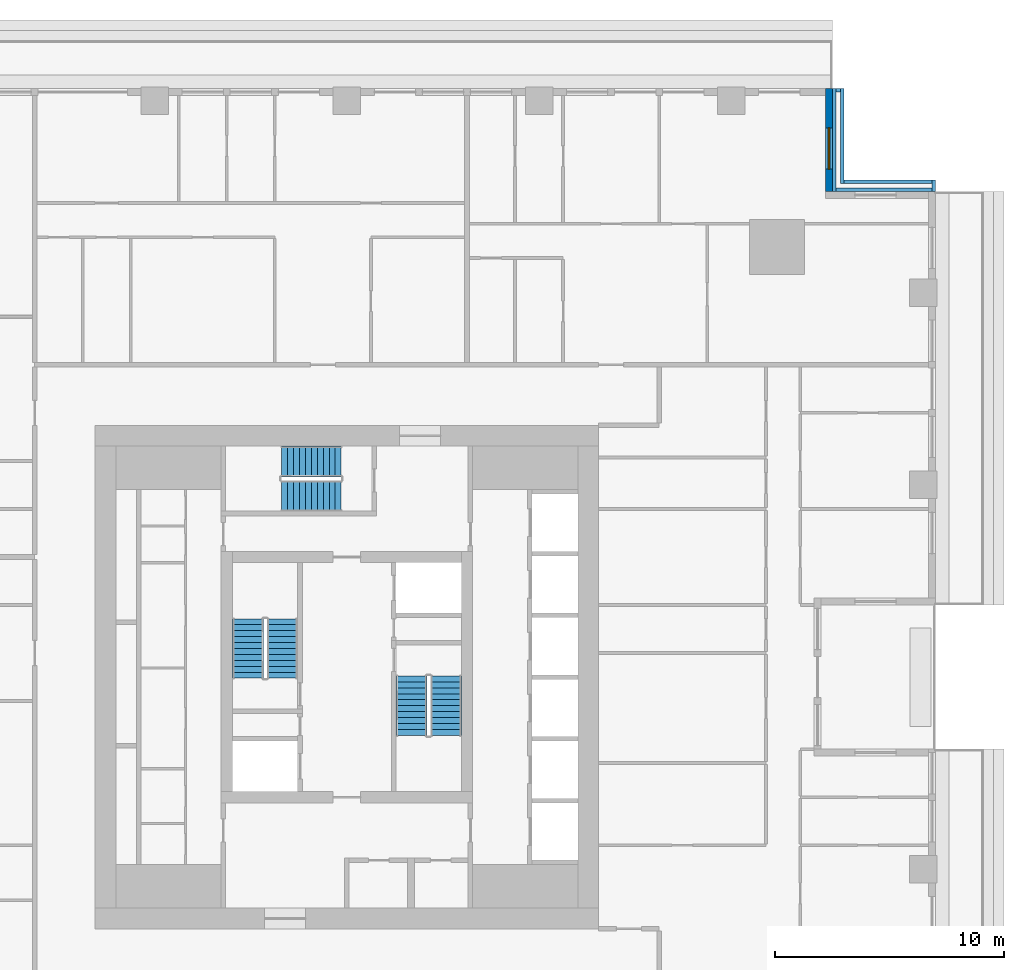
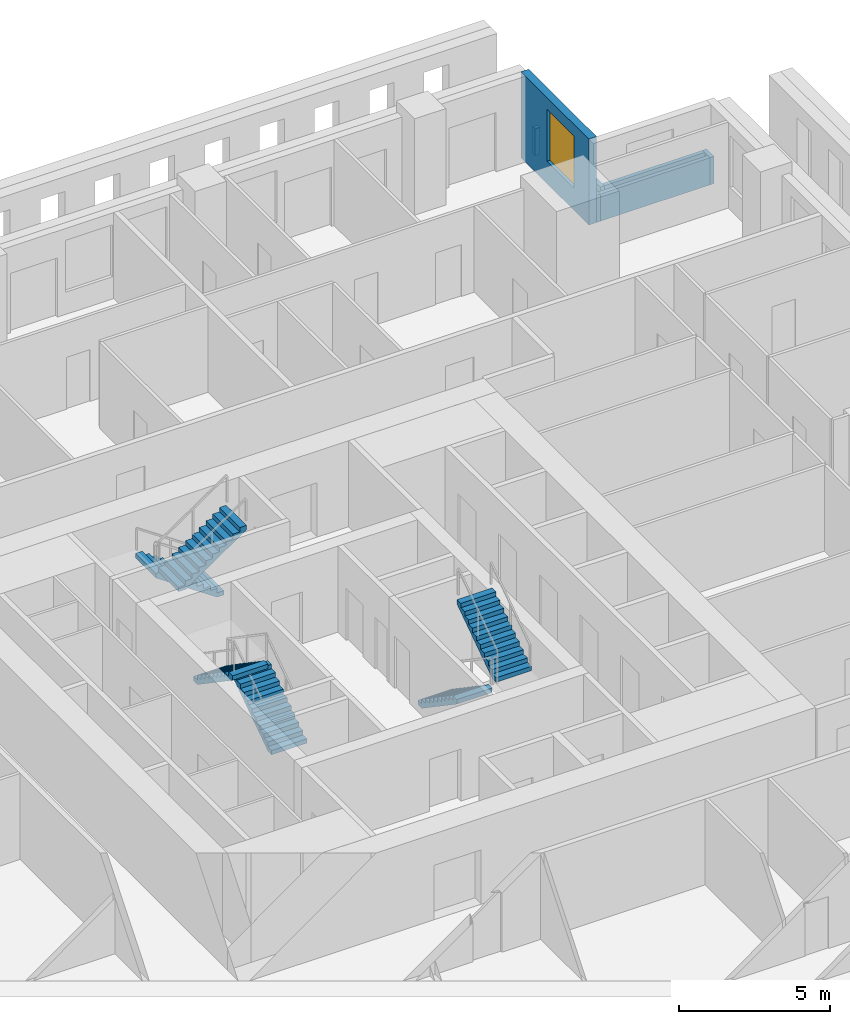
# One storey, part 11 of 17: 7 walls, 6 stair flights, 1 window, 1 opening, 3 elements without a shape of their own.
"""IFC4 building model written with IfcOpenShell, lengths in metres."""

from ifc_helpers import new_model, si_unit, direction, frame, frame_2d, origin, place, context, subcontext, project, spatial, polyline, rectangle, outline, extrude, material, layer, layer_set, type_object, element, fill, aggregate, save


model = new_model("IFC4")

# Units and contexts
model_context = context("Model", 3, precision=1e-05, world=origin(), true_north=direction((0.0, 1.0)))
body_context = subcontext(model_context, "Body", "Model", "MODEL_VIEW")
ifc_project = project(units=[si_unit("LENGTHUNIT", "METRE"), si_unit("AREAUNIT", "SQUARE_METRE"), si_unit("VOLUMEUNIT", "CUBIC_METRE"), si_unit("PLANEANGLEUNIT", "RADIAN"), si_unit("MASSUNIT", "GRAM", prefix="KILO")], contexts=[model_context])

# Site, building, storey
site_placement = place(None, origin())
site = spatial("IfcSite", under=ifc_project, at=site_placement, CompositionType="ELEMENT")
building_placement = place(site_placement, origin())
building = spatial("IfcBuilding", under=site, at=building_placement, Name="Khepri Terraces", CompositionType="ELEMENT")
storey_placement = place(building_placement, frame((0.0, 0.0, 188.39990234375)))
storey = spatial("IfcBuildingStorey", under=building, at=storey_placement, Name="L44", CompositionType="ELEMENT", Elevation=188.39990234375)

# Wall, opening, window
ifc_material_1 = material(Name="Precast concrete C50/60 warm stone", Category="masonry")
ifc_layer_1 = layer(ifc_material_1, 0.300048828125, Name="Precast concrete C50/60 warm stone", Category="masonry")
ifc_layer_set_1 = layer_set([ifc_layer_1], Name="Precast concrete C50/60 warm stone")
wall_type_1 = type_object("IfcWallType", Name="WL-EXT-PRECAST-300", PredefinedType="STANDARD", material=ifc_layer_set_1)
wall_1_placement = place(storey_placement, frame((21.070068359375, 21.219970703125, 0.0), z_axis=(0.0, 0.0, 1.0), x_axis=(0.0, 1.0, 0.0)))
wall_1 = element("IfcWall", 1, at=wall_1_placement, inside=storey, type_object=wall_type_1, Name="External wall L44 E", PredefinedType="STANDARD", context=body_context, shape_type="SweptSolid", body=[
    extrude(rectangle(XDim=4.5, YDim=0.300048828125, at=frame_2d((2.25, 0.0))), origin(), (0.0, 0.0, 1.0), 3.47998046875),
])
opening_placement = place(wall_1_placement, frame((0.97998046875, 0.0, 0.89990234375)))
opening = element("IfcOpeningElement", 2, at=opening_placement, cuts=wall_1, Name="Opening W1", PredefinedType="OPENING", context=body_context, shape_type="SweptSolid", body=[
    extrude(rectangle(XDim=1.800048828125, YDim=2.10009765625, at=frame_2d((0.89990234375, 1.050048828125))), frame((0.0, 0.16015625, 0.0), z_axis=(0.0, -1.0, 0.0), x_axis=(1.0, 0.0, 0.0)), (0.0, 0.0, 1.0), 0.320068359375),
])
ifc_material_2 = material(Name="Clear glass", Category="glass")
window_type = type_object("IfcWindowType", Name="WIN-RES-1800x2100", PartitioningType="SINGLE_PANEL", PredefinedType="WINDOW", material=ifc_material_2)
window_placement = place(opening_placement, origin())
window = element("IfcWindow", 3, at=window_placement, inside=storey, type_object=window_type, Name="Window L44 E", OverallHeight=2.10009765625, OverallWidth=1.800048828125, PartitioningType="SINGLE_PANEL", PredefinedType="WINDOW", context=body_context, shape_type="SweptSolid", body=[
    extrude(rectangle(XDim=1.800048828125, YDim=2.10009765625, at=frame_2d((0.89990234375, 1.050048828125))), frame((0.0, 0.030029296875, 0.0), z_axis=(0.0, -1.0, 0.0), x_axis=(1.0, 0.0, 0.0)), (0.0, 0.0, 1.0), 0.06005859375),
])
fill(opening, window)

# Walls
ifc_layer_2 = layer(ifc_material_1, 0.14990234375, Name="Precast concrete C50/60 warm stone", Category="masonry")
ifc_layer_set_2 = layer_set([ifc_layer_2], Name="Precast concrete C50/60 warm stone")
wall_type_2 = type_object("IfcWallType", Name="WL-PARAPET-150", PredefinedType="PARAPET", material=ifc_layer_set_2)
wall_2_placement = place(storey_placement, frame((21.294921875, 21.219970703125, 0.0), z_axis=(0.0, 0.0, 1.0), x_axis=(0.0, 1.0, 0.0)))
element("IfcWall", 4, at=wall_2_placement, inside=storey, type_object=wall_type_2, Name="Ledge parapet L44", PredefinedType="PARAPET", context=body_context, shape_type="SweptSolid", body=[
    extrude(rectangle(XDim=4.5, YDim=0.14990234375, at=frame_2d((2.25, 0.0))), origin(), (0.0, 0.0, 1.0), 1.10009765625),
])
wall_3_placement = place(storey_placement, frame((21.3701171875, 25.64501953125, 0.0), z_axis=(0.0, 0.0, 1.0), x_axis=(1.0, 0.0, 0.0)))
element("IfcWall", 5, at=wall_3_placement, inside=storey, type_object=wall_type_2, Name="Ledge parapet L44", PredefinedType="PARAPET", context=body_context, shape_type="SweptSolid", body=[
    extrude(rectangle(XDim=0.199951171875, YDim=0.14990234375, at=frame_2d((0.10009765625, 0.0))), origin(), (0.0, 0.0, 1.0), 1.10009765625),
])
wall_4_placement = place(storey_placement, frame((21.3701171875, 21.294921875, 0.0), z_axis=(0.0, 0.0, 1.0), x_axis=(1.0, 0.0, 0.0)))
element("IfcWall", 6, at=wall_4_placement, inside=storey, type_object=wall_type_2, Name="Ledge parapet L44", PredefinedType="PARAPET", context=body_context, shape_type="SweptSolid", body=[
    extrude(rectangle(XDim=4.199951171875, YDim=0.14990234375, at=frame_2d((2.10009765625, 0.0))), origin(), (0.0, 0.0, 1.0), 1.10009765625),
])
wall_5_placement = place(storey_placement, frame((21.64501953125, 21.570068359375, 0.0), z_axis=(0.0, 0.0, 1.0), x_axis=(0.0, 1.0, 0.0)))
element("IfcWall", 7, at=wall_5_placement, inside=storey, type_object=wall_type_2, Name="Ledge parapet L44", PredefinedType="PARAPET", context=body_context, shape_type="SweptSolid", body=[
    extrude(rectangle(XDim=4.14990234375, YDim=0.14990234375, at=frame_2d((2.074951171875, 0.0))), origin(), (0.0, 0.0, 1.0), 1.10009765625),
])
wall_6_placement = place(storey_placement, frame((21.719970703125, 21.64501953125, 0.0), z_axis=(0.0, 0.0, 1.0), x_axis=(1.0, 0.0, 0.0)))
element("IfcWall", 8, at=wall_6_placement, inside=storey, type_object=wall_type_2, Name="Ledge parapet L44", PredefinedType="PARAPET", context=body_context, shape_type="SweptSolid", body=[
    extrude(rectangle(XDim=3.85009765625, YDim=0.14990234375, at=frame_2d((1.925048828125, 0.0))), origin(), (0.0, 0.0, 1.0), 1.10009765625),
])
wall_7_placement = place(storey_placement, frame((25.64501953125, 21.219970703125, 0.0), z_axis=(0.0, 0.0, 1.0), x_axis=(0.0, 1.0, 0.0)))
element("IfcWall", 9, at=wall_7_placement, inside=storey, type_object=wall_type_2, Name="Ledge parapet L44", PredefinedType="PARAPET", context=body_context, shape_type="SweptSolid", body=[
    extrude(rectangle(XDim=0.5, YDim=0.14990234375, at=frame_2d((0.25, 0.0))), origin(), (0.0, 0.0, 1.0), 1.10009765625),
])

# Stair, stair flights
ifc_material_3 = material(Name="Concrete C40/50", Category="concrete")
stair_type = type_object("IfcStairType", Name="STAIR-RC-22R", PredefinedType="HALF_TURN_STAIR", material=ifc_material_3)
stair_1_placement = place(storey_placement, origin())
stair_1 = element("IfcStair", 10, at=stair_1_placement, inside=storey, type_object=stair_type, Name="L44 Exit Stair ST-1", PredefinedType="HALF_TURN_STAIR")
stair_flight_type = type_object("IfcStairFlightType", Name="SFL-RC-177.3", PredefinedType="STRAIGHT", material=ifc_material_3)
stair_flight_1_placement = place(storey_placement, frame((-2.824951171875, -0.050048828125, 0.0), z_axis=(0.0, 0.0, 1.0), x_axis=(0.0, 1.0, 0.0)))
stair_flight_1 = element("IfcStairFlight", 11, at=stair_flight_1_placement, type_object=stair_flight_type, Name="ST-1 flight 1", NumberOfRisers=11, NumberOfTreads=10, PredefinedType="STRAIGHT", RiserHeight=0.177272727, TreadLength=0.26, context=body_context, shape_type="SweptSolid", body=[
    extrude(outline(polyline([(0.0, 0.0), (0.0, 0.17724609375), (0.260009765625, 0.17724609375), (0.260009765625, 0.3544921875), (0.52001953125, 0.3544921875), (0.52001953125, 0.53173828125), (0.780029296875, 0.53173828125), (0.780029296875, 0.708984375), (1.0400390625, 0.708984375), (1.0400390625, 0.886474609375), (1.300048828125, 0.886474609375), (1.300048828125, 1.063720703125), (1.56005859375, 1.063720703125), (1.56005859375, 1.240966796875), (1.820068359375, 1.240966796875), (1.820068359375, 1.418212890625), (2.080078125, 1.418212890625), (2.080078125, 1.595458984375), (2.340087890625, 1.595458984375), (2.340087890625, 1.772705078125), (2.60009765625, 1.772705078125), (2.60009765625, 1.949951171875), (2.60009765625, 1.59130859375), (0.26611328125, 0.0), (0.0, 0.0)])), frame((0.0, 0.675048828125, 0.0), z_axis=(0.0, -1.0, 0.0), x_axis=(1.0, 0.0, 0.0)), (0.0, 0.0, 1.0), 1.35009765625),
])
stair_flight_2_placement = place(storey_placement, frame((-4.324951171875, 2.550048828125, 1.9501953125), z_axis=(0.0, 0.0, 1.0), x_axis=(0.0, -1.0, 0.0)))
stair_flight_2 = element("IfcStairFlight", 12, at=stair_flight_2_placement, type_object=stair_flight_type, Name="ST-1 flight 2", NumberOfRisers=11, NumberOfTreads=10, PredefinedType="STRAIGHT", RiserHeight=0.177272727, TreadLength=0.26, context=body_context, shape_type="SweptSolid", body=[
    extrude(outline(polyline([(0.0, 0.0), (0.0, 0.17724609375), (0.260009765625, 0.17724609375), (0.260009765625, 0.3544921875), (0.52001953125, 0.3544921875), (0.52001953125, 0.53173828125), (0.780029296875, 0.53173828125), (0.780029296875, 0.708984375), (1.0400390625, 0.708984375), (1.0400390625, 0.886474609375), (1.300048828125, 0.886474609375), (1.300048828125, 1.063720703125), (1.56005859375, 1.063720703125), (1.56005859375, 1.240966796875), (1.820068359375, 1.240966796875), (1.820068359375, 1.418212890625), (2.080078125, 1.418212890625), (2.080078125, 1.595458984375), (2.340087890625, 1.595458984375), (2.340087890625, 1.772705078125), (2.60009765625, 1.772705078125), (2.60009765625, 1.949951171875), (2.60009765625, 1.59130859375), (0.26611328125, 0.0), (0.0, 0.0)])), frame((0.0, 0.675048828125, 0.0), z_axis=(0.0, -1.0, 0.0), x_axis=(1.0, 0.0, 0.0)), (0.0, 0.0, 1.0), 1.35009765625),
])
aggregate(stair_1, [stair_flight_1, stair_flight_2])

stair_2_placement = place(storey_placement, origin())
stair_2 = element("IfcStair", 13, at=stair_2_placement, inside=storey, type_object=stair_type, Name="L44 Exit Stair ST-2", PredefinedType="HALF_TURN_STAIR")
stair_flight_3_placement = place(storey_placement, frame((2.824951171875, 0.050048828125, 0.0), z_axis=(0.0, 0.0, 1.0), x_axis=(0.0, -1.0, 0.0)))
stair_flight_3 = element("IfcStairFlight", 14, at=stair_flight_3_placement, type_object=stair_flight_type, Name="ST-2 flight 1", NumberOfRisers=11, NumberOfTreads=10, PredefinedType="STRAIGHT", RiserHeight=0.177272727, TreadLength=0.26, context=body_context, shape_type="SweptSolid", body=[
    extrude(outline(polyline([(0.0, 0.0), (0.0, 0.17724609375), (0.260009765625, 0.17724609375), (0.260009765625, 0.3544921875), (0.52001953125, 0.3544921875), (0.52001953125, 0.53173828125), (0.780029296875, 0.53173828125), (0.780029296875, 0.708984375), (1.0400390625, 0.708984375), (1.0400390625, 0.886474609375), (1.300048828125, 0.886474609375), (1.300048828125, 1.063720703125), (1.56005859375, 1.063720703125), (1.56005859375, 1.240966796875), (1.820068359375, 1.240966796875), (1.820068359375, 1.418212890625), (2.080078125, 1.418212890625), (2.080078125, 1.595458984375), (2.340087890625, 1.595458984375), (2.340087890625, 1.772705078125), (2.60009765625, 1.772705078125), (2.60009765625, 1.949951171875), (2.60009765625, 1.59130859375), (0.26611328125, 0.0), (0.0, 0.0)])), frame((0.0, 0.675048828125, 0.0), z_axis=(0.0, -1.0, 0.0), x_axis=(1.0, 0.0, 0.0)), (0.0, 0.0, 1.0), 1.35009765625),
])
stair_flight_4_placement = place(storey_placement, frame((4.324951171875, -2.550048828125, 1.9501953125), z_axis=(0.0, 0.0, 1.0), x_axis=(0.0, 1.0, 0.0)))
stair_flight_4 = element("IfcStairFlight", 15, at=stair_flight_4_placement, type_object=stair_flight_type, Name="ST-2 flight 2", NumberOfRisers=11, NumberOfTreads=10, PredefinedType="STRAIGHT", RiserHeight=0.177272727, TreadLength=0.26, context=body_context, shape_type="SweptSolid", body=[
    extrude(outline(polyline([(0.0, 0.0), (0.0, 0.17724609375), (0.260009765625, 0.17724609375), (0.260009765625, 0.3544921875), (0.52001953125, 0.3544921875), (0.52001953125, 0.53173828125), (0.780029296875, 0.53173828125), (0.780029296875, 0.708984375), (1.0400390625, 0.708984375), (1.0400390625, 0.886474609375), (1.300048828125, 0.886474609375), (1.300048828125, 1.063720703125), (1.56005859375, 1.063720703125), (1.56005859375, 1.240966796875), (1.820068359375, 1.240966796875), (1.820068359375, 1.418212890625), (2.080078125, 1.418212890625), (2.080078125, 1.595458984375), (2.340087890625, 1.595458984375), (2.340087890625, 1.772705078125), (2.60009765625, 1.772705078125), (2.60009765625, 1.949951171875), (2.60009765625, 1.59130859375), (0.26611328125, 0.0), (0.0, 0.0)])), frame((0.0, 0.675048828125, 0.0), z_axis=(0.0, -1.0, 0.0), x_axis=(1.0, 0.0, 0.0)), (0.0, 0.0, 1.0), 1.35009765625),
])
aggregate(stair_2, [stair_flight_3, stair_flight_4])

stair_3_placement = place(storey_placement, origin())
stair_3 = element("IfcStair", 16, at=stair_3_placement, inside=storey, type_object=stair_type, Name="L44 Exit Stair ST-3", PredefinedType="HALF_TURN_STAIR")
stair_flight_5_placement = place(storey_placement, frame((-0.25, 9.425048828125, 0.0), z_axis=(0.0, 0.0, 1.0), x_axis=(-1.0, 0.0, 0.0)))
stair_flight_5 = element("IfcStairFlight", 17, at=stair_flight_5_placement, type_object=stair_flight_type, Name="ST-3 flight 1", NumberOfRisers=11, NumberOfTreads=10, PredefinedType="STRAIGHT", RiserHeight=0.177272727, TreadLength=0.26, context=body_context, shape_type="SweptSolid", body=[
    extrude(outline(polyline([(0.0, 0.0), (0.0, 0.17724609375), (0.260009765625, 0.17724609375), (0.260009765625, 0.3544921875), (0.52001953125, 0.3544921875), (0.52001953125, 0.53173828125), (0.780029296875, 0.53173828125), (0.780029296875, 0.708984375), (1.0400390625, 0.708984375), (1.0400390625, 0.886474609375), (1.300048828125, 0.886474609375), (1.300048828125, 1.063720703125), (1.56005859375, 1.063720703125), (1.56005859375, 1.240966796875), (1.820068359375, 1.240966796875), (1.820068359375, 1.418212890625), (2.080078125, 1.418212890625), (2.080078125, 1.595458984375), (2.340087890625, 1.595458984375), (2.340087890625, 1.772705078125), (2.60009765625, 1.772705078125), (2.60009765625, 1.949951171875), (2.60009765625, 1.59130859375), (0.26611328125, 0.0), (0.0, 0.0)])), frame((0.0, 0.675048828125, 0.0), z_axis=(0.0, -1.0, 0.0), x_axis=(1.0, 0.0, 0.0)), (0.0, 0.0, 1.0), 1.35009765625),
])
stair_flight_6_placement = place(storey_placement, frame((-2.85009765625, 7.925048828125, 1.9501953125), z_axis=(0.0, 0.0, 1.0), x_axis=(1.0, 0.0, 0.0)))
stair_flight_6 = element("IfcStairFlight", 18, at=stair_flight_6_placement, type_object=stair_flight_type, Name="ST-3 flight 2", NumberOfRisers=11, NumberOfTreads=10, PredefinedType="STRAIGHT", RiserHeight=0.177272727, TreadLength=0.26, context=body_context, shape_type="SweptSolid", body=[
    extrude(outline(polyline([(0.0, 0.0), (0.0, 0.17724609375), (0.260009765625, 0.17724609375), (0.260009765625, 0.3544921875), (0.52001953125, 0.3544921875), (0.52001953125, 0.53173828125), (0.780029296875, 0.53173828125), (0.780029296875, 0.708984375), (1.0400390625, 0.708984375), (1.0400390625, 0.886474609375), (1.300048828125, 0.886474609375), (1.300048828125, 1.063720703125), (1.56005859375, 1.063720703125), (1.56005859375, 1.240966796875), (1.820068359375, 1.240966796875), (1.820068359375, 1.418212890625), (2.080078125, 1.418212890625), (2.080078125, 1.595458984375), (2.340087890625, 1.595458984375), (2.340087890625, 1.772705078125), (2.60009765625, 1.772705078125), (2.60009765625, 1.949951171875), (2.60009765625, 1.59130859375), (0.26611328125, 0.0), (0.0, 0.0)])), frame((0.0, 0.675048828125, 0.0), z_axis=(0.0, -1.0, 0.0), x_axis=(1.0, 0.0, 0.0)), (0.0, 0.0, 1.0), 1.35009765625),
])
aggregate(stair_3, [stair_flight_5, stair_flight_6])

save(model, "model.ifc")
